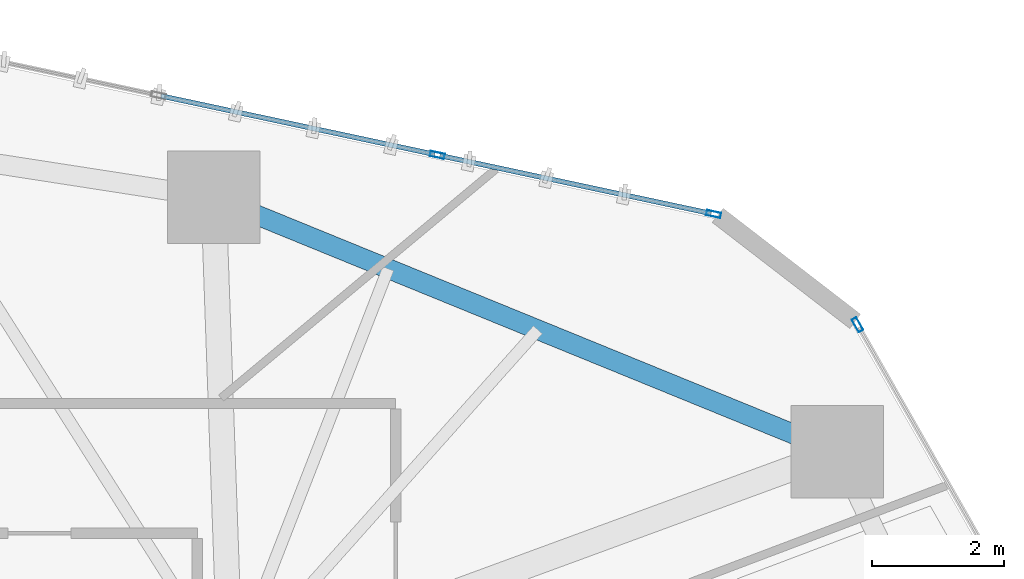
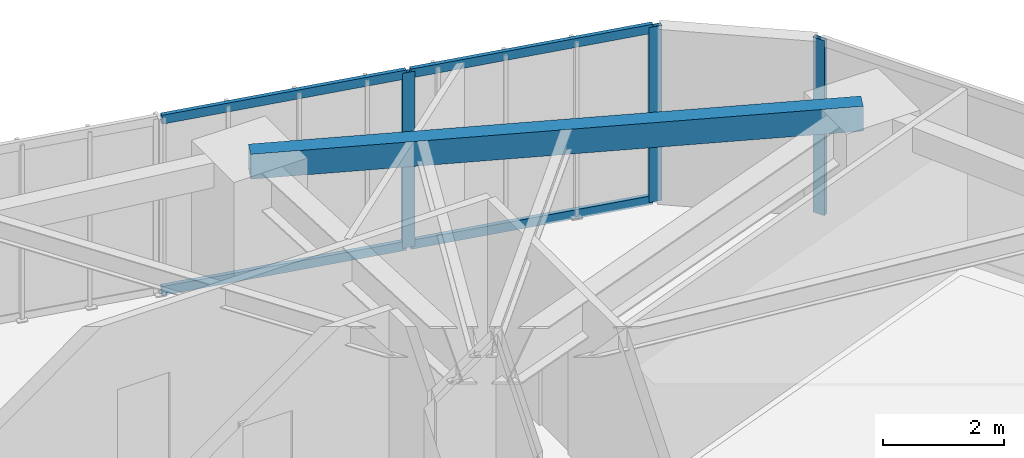
# One storey, part 15 of 22: 7 members, 1 beam, 2 elements without a shape of their own.
"""IFC4 building model written with IfcOpenShell, lengths in metres."""

import ifcopenshell
import ifcopenshell.guid

model = None  # the IFC model being written
_history = None  # IfcOwnerHistory: only IFC2X3 demands one
_inside = {}  # id of a spatial element -> (the spatial element, [elements in it])
_under = {}  # id of a project, library or spatial element -> (it, [spatial elements below it])
_declared = {}  # id of a project -> (the project, [libraries it declares])
_typed = {}  # id of a type object -> (the type object, [elements of that type])
_made_of = {}  # id of a material, layer set ... -> (it, [elements and type objects made of it])


def new_model(schema):
    """Start an empty IFC model of exactly this schema.

    Asked for "IFC4X3", IfcOpenShell would pick the latest addendum, in which some entities
    have other attributes; the version numbers below select the first issue.
    IFC2X3 requires an IfcOwnerHistory on every rooted entity: one is made here for all.
    """
    global model, _history
    if schema == "IFC4X3":
        model = ifcopenshell.file(schema_version=(4, 3, 0, 0))
    else:
        model = ifcopenshell.file(schema=schema)
    _inside.clear()
    _under.clear()
    _declared.clear()
    _typed.clear()
    _made_of.clear()
    _history = None
    if model.schema == "IFC2X3":
        org = make("IfcOrganization", Name="unknown")
        user = make(
            "IfcPersonAndOrganization",
            ThePerson=make("IfcPerson", FamilyName="unknown"),
            TheOrganization=org,
        )
        app = make(
            "IfcApplication",
            ApplicationDeveloper=org,
            Version="unknown",
            ApplicationFullName="unknown",
            ApplicationIdentifier="unknown",
        )
        _history = make(
            "IfcOwnerHistory",
            OwningUser=user,
            OwningApplication=app,
            ChangeAction="ADDED",
            CreationDate=0,
        )
    return model


def make(cls, **values):
    """One entity of the class cls with the attributes given. An attribute that is None is left unset."""
    return model.create_entity(
        cls, **{name: value for name, value in values.items() if value is not None}
    )


def rooted(cls, **values):
    """An entity with a GlobalId (a new one), such as an element, a storey or a relation."""
    return make(cls, GlobalId=ifcopenshell.guid.new(), OwnerHistory=_history, **values)


def si_unit(unit_type, name, prefix=None):
    """IfcSIUnit, for example si_unit("LENGTHUNIT", "METRE", prefix="MILLI")."""
    return make("IfcSIUnit", UnitType=unit_type, Prefix=prefix, Name=name)


def assignment(units):
    """IfcUnitAssignment: the units of a project."""
    return None if units is None else make("IfcUnitAssignment", Units=units)


def point(xyz):
    """IfcCartesianPoint."""
    return None if xyz is None else make("IfcCartesianPoint", Coordinates=xyz)


def direction(xyz):
    """IfcDirection."""
    return None if xyz is None else make("IfcDirection", DirectionRatios=xyz)


def frame(location, z_axis=None, x_axis=None):
    """IfcAxis2Placement3D, a coordinate frame: its origin and axes. An axis left out is left unset."""
    return make(
        "IfcAxis2Placement3D",
        Location=point(location),
        Axis=direction(z_axis),
        RefDirection=direction(x_axis),
    )


def frame_2d(location, x_axis=None):
    """IfcAxis2Placement2D, a coordinate frame in the plane: its origin and x axis."""
    return make(
        "IfcAxis2Placement2D", Location=point(location), RefDirection=direction(x_axis)
    )


def origin():
    """The frame at (0, 0, 0) with its axes left unset."""
    return frame((0.0, 0.0, 0.0))


def origin_2d():
    """The frame at (0, 0) in the plane with its x axis left unset."""
    return frame_2d((0.0, 0.0))


def place(relative_to, where):
    """IfcLocalPlacement: puts the frame where relative to a parent placement (None: the world)."""
    return make(
        "IfcLocalPlacement", PlacementRelTo=relative_to, RelativePlacement=where
    )


def context(
    kind, dimensions, precision=None, world=None, true_north=None, identifier=None
):
    """IfcGeometricRepresentationContext, for example the 3D "Model" context."""
    return make(
        "IfcGeometricRepresentationContext",
        ContextIdentifier=identifier,
        ContextType=kind,
        CoordinateSpaceDimension=dimensions,
        Precision=precision,
        WorldCoordinateSystem=world,
        TrueNorth=true_north,
    )


def subcontext(parent, identifier, kind, view, scale=None):
    """IfcGeometricRepresentationSubContext, for example "Body" below "Model"."""
    return make(
        "IfcGeometricRepresentationSubContext",
        ContextIdentifier=identifier,
        ContextType=kind,
        ParentContext=parent,
        TargetScale=scale,
        TargetView=view,
    )


def project(units=None, contexts=None):
    """IfcProject with its units and contexts."""
    return rooted(
        "IfcProject",
        Name="project",
        RepresentationContexts=contexts,
        UnitsInContext=assignment(units),
    )


def spatial(cls, under=None, at=None, **own):
    """A site, building, storey or space (cls), placed at a placement, below another one or the project."""
    s = rooted(cls, ObjectPlacement=at, **own)
    if under is not None:
        _under.setdefault(under.id(), (under, []))[1].append(s)
    return s


def profile(cls, at=None, kind="AREA", **sizes):
    """A parametric profile (cls). Its sizes go by their IFC names, for example OverallWidth=200.0."""
    return make(cls, ProfileType=kind, Position=at, **sizes)


def hollow_rectangle(**sizes):
    """IfcRectangleHollowProfileDef."""
    return profile("IfcRectangleHollowProfileDef", **sizes)


def extrude(swept, where, along, depth):
    """IfcExtrudedAreaSolid: the profile swept, set in the frame where, extruded along a direction by depth."""
    return make(
        "IfcExtrudedAreaSolid",
        SweptArea=swept,
        Position=where,
        ExtrudedDirection=direction(along),
        Depth=depth,
    )


def shape(context_of_items, identifier, shape_type, items):
    """IfcShapeRepresentation: the items that make up one representation, for example the "Body"."""
    return make(
        "IfcShapeRepresentation",
        ContextOfItems=context_of_items,
        RepresentationIdentifier=identifier,
        RepresentationType=shape_type,
        Items=items,
    )


def source(mapping_origin, context_of_items, identifier, shape_type, items):
    """IfcRepresentationMap: a shape defined once, which mapped items show again and again."""
    return make(
        "IfcRepresentationMap",
        MappingOrigin=mapping_origin,
        MappedRepresentation=shape(context_of_items, identifier, shape_type, items),
    )


def transform(
    local_origin,
    x_axis=None,
    y_axis=None,
    z_axis=None,
    scale=None,
    scale2=None,
    scale3=None,
    uniform=True,
):
    """IfcCartesianTransformationOperator3D, or its non-uniform kind. x_axis, y_axis, z_axis: its Axis1, 2, 3."""
    if uniform:
        return make(
            "IfcCartesianTransformationOperator3D",
            Axis1=direction(x_axis),
            Axis2=direction(y_axis),
            LocalOrigin=point(local_origin),
            Scale=scale,
            Axis3=direction(z_axis),
        )
    return make(
        "IfcCartesianTransformationOperator3DnonUniform",
        Axis1=direction(x_axis),
        Axis2=direction(y_axis),
        LocalOrigin=point(local_origin),
        Scale=scale,
        Axis3=direction(z_axis),
        Scale2=scale2,
        Scale3=scale3,
    )


def mapped(mapping_source, mapping_target):
    """IfcMappedItem: shows the shape of a source again, moved by a transform."""
    return make(
        "IfcMappedItem", MappingSource=mapping_source, MappingTarget=mapping_target
    )


def material(Name=None, Category=None):
    """IfcMaterial."""
    return make("IfcMaterial", Name=Name, Category=Category)


def layer(
    of_material, thickness, ventilated=None, Name=None, Category=None, Priority=None
):
    """IfcMaterialLayer: one layer of a wall or slab, of a material (None: an air gap)."""
    return make(
        "IfcMaterialLayer",
        Material=of_material,
        LayerThickness=thickness,
        IsVentilated=ventilated,
        Name=Name,
        Category=Category,
        Priority=Priority,
    )


def layer_set(layers, Name=None):
    """IfcMaterialLayerSet."""
    return make("IfcMaterialLayerSet", MaterialLayers=layers, LayerSetName=Name)


def material_profile(
    of_material, cross_section, Name=None, Category=None, Priority=None
):
    """IfcMaterialProfile: a cross section and its material."""
    return make(
        "IfcMaterialProfile",
        Name=Name,
        Material=of_material,
        Profile=cross_section,
        Priority=Priority,
        Category=Category,
    )


def profile_set(profiles, Name=None, composite=None):
    """IfcMaterialProfileSet."""
    return make(
        "IfcMaterialProfileSet",
        Name=Name,
        MaterialProfiles=profiles,
        CompositeProfile=composite,
    )


def made_of(thing, what):
    """Note that an element or type object is made of a material, layer set ...; save() writes the relation."""
    if what is not None:
        _made_of.setdefault(what.id(), (what, []))[1].append(thing)
    return thing


def type_object(cls, material=None, **own):
    """A type object (cls), such as IfcWallType, which elements share."""
    return made_of(rooted(cls, **own), material)


def type_shapes(of_type, sources):
    """Give a type object the sources (RepresentationMaps) that its elements show as mapped items."""
    of_type.RepresentationMaps = sources


def element(
    cls,
    number,
    at=None,
    inside=None,
    cuts=None,
    type_object=None,
    material=None,
    context=None,
    identifier="Body",
    shape_type=None,
    held_by="IfcProductDefinitionShape",
    body=None,
    shapes=None,
    **own,
):
    """One element of the class cls, such as IfcWall. Its Tag is "e" and its number.

    at: its placement. inside: the storey or other place that contains it. cuts: it is an
    opening in that element (IfcRelVoidsElement). A single representation is given by context,
    identifier, shape_type and body (its items); several are given by shapes. held_by: the class
    of the entity that holds the representations. save() writes the other relations.
    """
    e = rooted(cls, Tag="e%d" % number, ObjectPlacement=at, **own)
    if body is not None:
        shapes = [shape(context, identifier, shape_type, body)]
    if shapes is not None:
        e.Representation = make(held_by, Representations=shapes)
    if inside is not None:
        _inside.setdefault(inside.id(), (inside, []))[1].append(e)
    if cuts is not None:
        rooted(
            "IfcRelVoidsElement", RelatingBuildingElement=cuts, RelatedOpeningElement=e
        )
    if type_object is not None:
        _typed.setdefault(type_object.id(), (type_object, []))[1].append(e)
    return made_of(e, material)


def aggregate(whole, parts):
    """IfcRelAggregates: a whole, such as a stair, and the parts it consists of."""
    return rooted("IfcRelAggregates", RelatingObject=whole, RelatedObjects=parts)


def save(model, path):
    """Write the relations noted so far, then the file.

    IfcRelAggregates (storeys below a building ...), IfcRelContainedInSpatialStructure (elements
    in a storey), IfcRelDefinesByType, IfcRelAssociatesMaterial and IfcRelDeclares: one each for
    every whole, place, type object, material and project.
    """
    for whole, parts in _under.values():
        aggregate(whole, parts)
    for where, things in _inside.values():
        rooted(
            "IfcRelContainedInSpatialStructure",
            RelatedElements=things,
            RelatingStructure=where,
        )
    for kind, things in _typed.values():
        rooted("IfcRelDefinesByType", RelatedObjects=things, RelatingType=kind)
    for what, things in _made_of.values():
        rooted("IfcRelAssociatesMaterial", RelatedObjects=things, RelatingMaterial=what)
    for by, libraries in _declared.values():
        rooted("IfcRelDeclares", RelatingContext=by, RelatedDefinitions=libraries)
    model.write(path)


model = new_model("IFC4")

# Units and contexts
model_context = context("Model", 3, precision=1e-05, world=origin(), true_north=direction((0.0, 1.0)))
body_context = subcontext(model_context, "Body", "Model", "MODEL_VIEW")
ifc_project = project(units=[si_unit("LENGTHUNIT", "METRE"), si_unit("AREAUNIT", "SQUARE_METRE"), si_unit("VOLUMEUNIT", "CUBIC_METRE"), si_unit("PLANEANGLEUNIT", "RADIAN"), si_unit("MASSUNIT", "GRAM", prefix="KILO")], contexts=[model_context])

# Site, building, storey
site_placement = place(None, origin())
site = spatial("IfcSite", under=ifc_project, at=site_placement, CompositionType="ELEMENT")
building_placement = place(site_placement, origin())
building = spatial("IfcBuilding", under=site, at=building_placement, Name="Talar Marvaseh", CompositionType="ELEMENT")
storey_placement = place(building_placement, frame((0.0, 0.0, 54.39990234375)))
storey = spatial("IfcBuildingStorey", under=building, at=storey_placement, Name="L13", CompositionType="ELEMENT", Elevation=54.39990234375)

# Beam
ifc_material_1 = material(Name="Steel S355", Category="steel")
ifc_material_profile_1 = material_profile(ifc_material_1, hollow_rectangle(XDim=0.300048828125, YDim=0.5, WallThickness=0.02001953125, at=origin_2d()), Name="RHS500x300x20")
ifc_profile_set_1 = profile_set([ifc_material_profile_1], Name="Steel S355")
beam_type = type_object("IfcBeamType", Name="Zone 1 Perimeter Spandrel Beam RHS500x300x20", PredefinedType="SPANDREL", material=ifc_profile_set_1)
beam_placement = place(storey_placement, frame((33.0458984375, 44.117919921875, 3.27001953125), z_axis=(0.92586732306, -0.377848779395, 0.0), x_axis=(0.377848779395, 0.92586732306, 0.0)))
element("IfcBeam", 1, at=beam_placement, inside=storey, type_object=beam_type, Name="L13 Zone 1 Perimeter Spandrel Beam RHS500x300x20", PredefinedType="SPANDREL", context=body_context, shape_type="SweptSolid", body=[
    extrude(hollow_rectangle(XDim=0.300048828125, YDim=0.5, WallThickness=0.02001953125, at=origin_2d()), origin(), (0.0, 0.0, 1.0), 10.186279296875),
])

# Curtain wall, members
ifc_material_2 = material(Name="Architectural Aluminium", Category="aluminium")
ifc_layer = layer(ifc_material_2, 0.219970703125)
ifc_layer_set = layer_set([ifc_layer], Name="Architectural Aluminium")
curtain_wall_type = type_object("IfcCurtainWallType", Name="Unitised Low-E Museum Curtain Wall Z1", PredefinedType="NOTDEFINED", material=ifc_layer_set)
curtain_wall_1_placement = place(storey_placement, origin())
curtain_wall_1 = element("IfcCurtainWall", 2, at=curtain_wall_1_placement, inside=storey, type_object=curtain_wall_type, Name="L13 Unitised Low-E Museum Curtain Wall Z1", PredefinedType="NOTDEFINED")
ifc_material_profile_2 = material_profile(ifc_material_2, hollow_rectangle(XDim=0.080078125, YDim=0.219970703125, WallThickness=0.0048828125, at=origin_2d()), Name="RHS220x80x5")
ifc_profile_set_2 = profile_set([ifc_material_profile_2], Name="Architectural Aluminium")
member_type_1 = type_object("IfcMemberType", Name="Unitised Curtain Wall Heavy Mullion RHS220x80x5", PredefinedType="MULLION", material=ifc_profile_set_2)
shared_shape_1 = source(origin(), body_context, "Body", "SweptSolid", [
    extrude(hollow_rectangle(XDim=0.080078125, YDim=0.219970703125, WallThickness=0.0048828125, at=origin_2d()), origin(), (0.0, 0.0, 1.0), 3.52001953125),
])
type_shapes(member_type_1, [shared_shape_1])
member_1_placement = place(storey_placement, frame((36.429931640625, 44.759033203125, 0.0), z_axis=(0.0, 0.0, 1.0), x_axis=(0.20907292534, 0.977900052096, 0.0)))
member_1 = element("IfcMember", 3, at=member_1_placement, type_object=member_type_1, Name="CW-Z1 mullion 4", PredefinedType="MULLION", context=body_context, shape_type="MappedRepresentation", body=[
    mapped(shared_shape_1, transform((0.0, 0.0, 0.0), x_axis=(1.0, 0.0, 0.0), y_axis=(0.0, 1.0, 0.0), z_axis=(0.0, 0.0, 1.0), scale=1.0)),
])
member_2_placement = place(storey_placement, frame((40.607421875, 43.865966796875, 0.0), z_axis=(0.0, 0.0, 1.0), x_axis=(0.20907292534, 0.977900052096, 0.0)))
member_2 = element("IfcMember", 4, at=member_2_placement, type_object=member_type_1, Name="CW-Z1 mullion 5", PredefinedType="MULLION", context=body_context, shape_type="MappedRepresentation", body=[
    mapped(shared_shape_1, transform((0.0, 0.0, 0.0), x_axis=(1.0, 0.0, 0.0), y_axis=(0.0, 1.0, 0.0), z_axis=(0.0, 0.0, 1.0), scale=1.0)),
])

# Curtain wall, member
curtain_wall_2_placement = place(storey_placement, origin())
curtain_wall_2 = element("IfcCurtainWall", 5, at=curtain_wall_2_placement, inside=storey, type_object=curtain_wall_type, Name="L13 Unitised Low-E Museum Curtain Wall Z1", PredefinedType="NOTDEFINED")
member_3_placement = place(storey_placement, frame((42.78369140625, 42.192138671875, 0.0), z_axis=(0.0, 0.0, 1.0), x_axis=(0.869028750934, 0.494761589101, 0.0)))
member_3 = element("IfcMember", 6, at=member_3_placement, type_object=member_type_1, Name="CW-Z1 mullion 1", PredefinedType="MULLION", context=body_context, shape_type="MappedRepresentation", body=[
    mapped(shared_shape_1, transform((0.0, 0.0, 0.0), x_axis=(1.0, 0.0, 0.0), y_axis=(0.0, 1.0, 0.0), z_axis=(0.0, 0.0, 1.0), scale=1.0)),
])
aggregate(curtain_wall_2, [member_3])

# Member
ifc_material_profile_3 = material_profile(ifc_material_2, hollow_rectangle(XDim=0.074951171875, YDim=0.179931640625, WallThickness=0.0048828125, at=origin_2d()), Name="RHS180x75x5")
ifc_profile_set_3 = profile_set([ifc_material_profile_3], Name="Architectural Aluminium")
member_type_2 = type_object("IfcMemberType", Name="Unitised Curtain Wall Transom RHS180x75x5", PredefinedType="USERDEFINED", material=ifc_profile_set_3)
shared_shape_2 = source(origin(), body_context, "Body", "SweptSolid", [
    extrude(hollow_rectangle(XDim=0.074951171875, YDim=0.179931640625, WallThickness=0.0048828125, at=origin_2d()), origin(), (0.0, 0.0, 1.0), 4.19189453125),
])
member_4_placement = place(storey_placement, frame((36.468994140625, 44.750732421875, 0.03759765625), z_axis=(0.977898618952, -0.209079628494, 0.0), x_axis=(0.209079628494, 0.977898618952, 0.0)))
member_4 = element("IfcMember", 7, at=member_4_placement, type_object=member_type_2, Name="CW-Z1 transom 4.1", ObjectType="TRANSOM", PredefinedType="USERDEFINED", context=body_context, shape_type="MappedRepresentation", body=[
    mapped(shared_shape_2, transform((0.0, 0.0, 0.0), x_axis=(1.0, 0.0, 0.0), y_axis=(0.0, 1.0, 0.0), z_axis=(0.0, 0.0, 1.0), scale=1.0)),
])

member_5_placement = place(storey_placement, frame((36.468994140625, 44.750732421875, 3.482666015625), z_axis=(0.977898618952, -0.209079628494, 0.0), x_axis=(0.209079628494, 0.977898618952, 0.0)))
member_5 = element("IfcMember", 8, at=member_5_placement, type_object=member_type_2, Name="CW-Z1 transom 4.2", ObjectType="TRANSOM", PredefinedType="USERDEFINED", context=body_context, shape_type="MappedRepresentation", body=[
    mapped(shared_shape_2, transform((0.0, 0.0, 0.0), x_axis=(1.0, 0.0, 0.0), y_axis=(0.0, 1.0, 0.0), z_axis=(0.0, 0.0, 1.0), scale=1.0)),
])

shared_shape_3 = source(origin(), body_context, "Body", "SweptSolid", [
    extrude(hollow_rectangle(XDim=0.074951171875, YDim=0.179931640625, WallThickness=0.0048828125, at=origin_2d()), origin(), (0.0, 0.0, 1.0), 4.23193359375),
])
type_shapes(member_type_2, [shared_shape_2, shared_shape_3])
member_6_placement = place(storey_placement, frame((32.25244140625, 45.652099609375, 0.03759765625), z_axis=(0.977901081749, -0.209068109271, 0.0), x_axis=(0.209068109271, 0.977901081749, 0.0)))
member_6 = element("IfcMember", 9, at=member_6_placement, type_object=member_type_2, Name="CW-Z1 transom 3.1", ObjectType="TRANSOM", PredefinedType="USERDEFINED", context=body_context, shape_type="MappedRepresentation", body=[
    mapped(shared_shape_3, transform((0.0, 0.0, 0.0), x_axis=(1.0, 0.0, 0.0), y_axis=(0.0, 1.0, 0.0), z_axis=(0.0, 0.0, 1.0), scale=1.0)),
])

member_7_placement = place(storey_placement, frame((32.25244140625, 45.652099609375, 3.482666015625), z_axis=(0.977901081749, -0.209068109271, 0.0), x_axis=(0.209068109271, 0.977901081749, 0.0)))
member_7 = element("IfcMember", 10, at=member_7_placement, type_object=member_type_2, Name="CW-Z1 transom 3.2", ObjectType="TRANSOM", PredefinedType="USERDEFINED", context=body_context, shape_type="MappedRepresentation", body=[
    mapped(shared_shape_3, transform((0.0, 0.0, 0.0), x_axis=(1.0, 0.0, 0.0), y_axis=(0.0, 1.0, 0.0), z_axis=(0.0, 0.0, 1.0), scale=1.0)),
])

aggregate(curtain_wall_1, [member_1, member_2, member_6, member_7, member_4, member_5])

save(model, "model.ifc")
